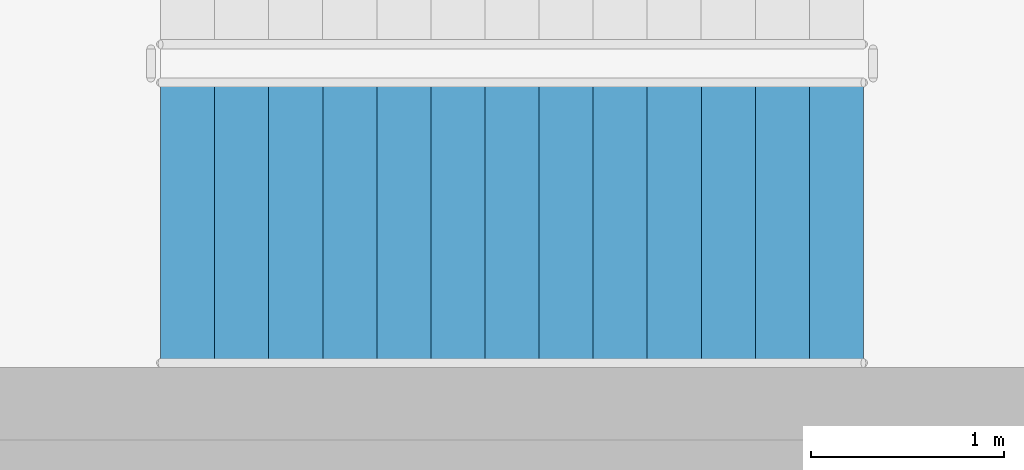
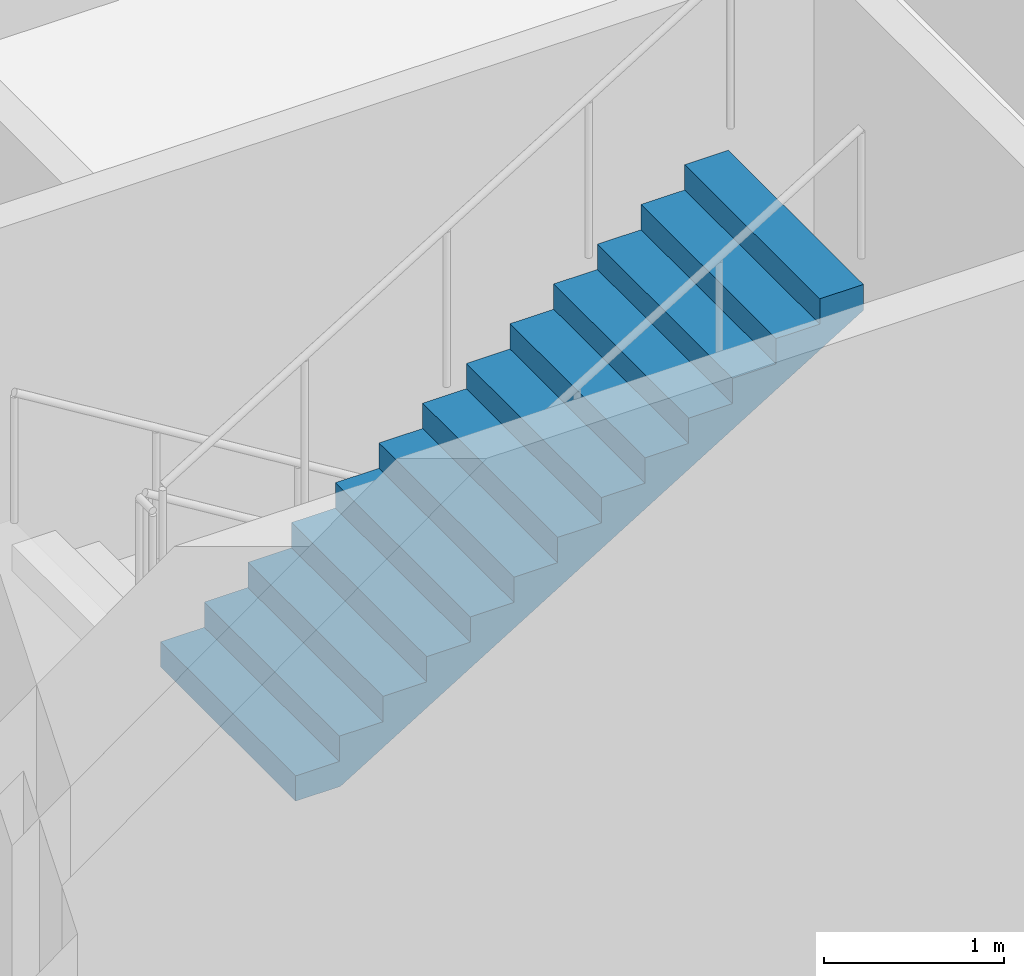
# One storey, part 63 of 91: 1 stair flight, 1 element without a shape of its own.
"""IFC4 building model written with IfcOpenShell, lengths in metres."""

from ifc_helpers import new_model, si_unit, direction, frame, origin, place, context, subcontext, project, spatial, triangles, material, type_object, element, aggregate, save


model = new_model("IFC4")

# Units and contexts
model_context = context("Model", 3, precision=1e-05, world=origin(), true_north=direction((0.0, 1.0)))
body_context = subcontext(model_context, "Body", "Model", "MODEL_VIEW")
ifc_project = project(units=[si_unit("LENGTHUNIT", "METRE"), si_unit("AREAUNIT", "SQUARE_METRE"), si_unit("VOLUMEUNIT", "CUBIC_METRE"), si_unit("PLANEANGLEUNIT", "RADIAN"), si_unit("MASSUNIT", "GRAM", prefix="KILO")], contexts=[model_context])

# Site, building, storey
site_placement = place(None, origin())
site = spatial("IfcSite", under=ifc_project, at=site_placement, CompositionType="ELEMENT")
building_placement = place(site_placement, origin())
building = spatial("IfcBuilding", under=site, at=building_placement, Name="Magnolia Steps Interchange", CompositionType="ELEMENT")
storey_placement = place(building_placement, origin())
storey = spatial("IfcBuildingStorey", under=building, at=storey_placement, Name="L00", CompositionType="ELEMENT", Elevation=0.0)

# Stair, stair flight
ifc_material_1 = material(Name="Concrete C40", Category="concrete")
stair_type = type_object("IfcStairType", Name="Exit stair 1500", PredefinedType="HALF_TURN_STAIR", material=ifc_material_1)
stair_placement = place(storey_placement, origin())
stair = element("IfcStair", 1, at=stair_placement, inside=storey, type_object=stair_type, Name="L00 Stair 26", PredefinedType="HALF_TURN_STAIR")
ifc_material_2 = material(Name="Concrete C40", Category="concrete")
stair_flight_type = type_object("IfcStairFlightType", Name="Exit stair flight", PredefinedType="STRAIGHT", material=ifc_material_2)
stair_flight_placement = place(storey_placement, frame((44.56005859375, 86.85009765625, 2.39990234375), z_axis=(0.0, 0.0, 1.0), x_axis=(1.0, 0.0, 0.0)))
stair_flight = element("IfcStairFlight", 2, at=stair_flight_placement, type_object=stair_flight_type, Name="Stair 26 flight 2", NumberOfRisers=14, NumberOfTreads=13, PredefinedType="STRAIGHT", RiserHeight=0.171428571, TreadLength=0.28, context=body_context, shape_type="Tessellation", body=[
    triangles([(0.0, -0.75, 0.0), (0.287109375, -0.75, 0.0), (3.639892578125, -0.75, 2.052734375), (3.639892578125, -0.75, 2.228515625), (3.360107421875, -0.75, 2.228515625), (3.360107421875, -0.75, 2.05712890625), (3.080078125, -0.75, 2.05712890625), (3.080078125, -0.75, 1.8857421875), (2.800048828125, -0.75, 1.8857421875), (2.800048828125, -0.75, 1.71435546875), (2.52001953125, -0.75, 1.71435546875), (2.52001953125, -0.75, 1.54296875), (2.239990234375, -0.75, 1.54296875), (2.239990234375, -0.75, 1.371337890625), (1.9599609375, -0.75, 1.371337890625), (1.9599609375, -0.75, 1.199951171875), (1.679931640625, -0.75, 1.199951171875), (1.679931640625, -0.75, 1.028564453125), (1.39990234375, -0.75, 1.028564453125), (1.39990234375, -0.75, 0.857177734375), (1.1201171875, -0.75, 0.857177734375), (1.1201171875, -0.75, 0.685791015625), (0.840087890625, -0.75, 0.685791015625), (0.840087890625, -0.75, 0.514404296875), (0.56005859375, -0.75, 0.514404296875), (0.56005859375, -0.75, 0.3427734375), (0.280029296875, -0.75, 0.3427734375), (0.280029296875, -0.75, 0.17138671875), (0.0, -0.75, 0.17138671875), (0.0, 0.75, 0.0), (0.287109375, 0.75, 0.0), (3.639892578125, 0.75, 2.052734375), (3.639892578125, 0.75, 2.228515625), (3.360107421875, 0.75, 2.228515625), (3.360107421875, 0.75, 2.05712890625), (3.080078125, 0.75, 2.05712890625), (3.080078125, 0.75, 1.8857421875), (2.800048828125, 0.75, 1.8857421875), (2.800048828125, 0.75, 1.71435546875), (2.52001953125, 0.75, 1.71435546875), (2.52001953125, 0.75, 1.54296875), (2.239990234375, 0.75, 1.54296875), (2.239990234375, 0.75, 1.371337890625), (1.9599609375, 0.75, 1.371337890625), (1.9599609375, 0.75, 1.199951171875), (1.679931640625, 0.75, 1.199951171875), (1.679931640625, 0.75, 1.028564453125), (1.39990234375, 0.75, 1.028564453125), (1.39990234375, 0.75, 0.857177734375), (1.1201171875, 0.75, 0.857177734375), (1.1201171875, 0.75, 0.685791015625), (0.840087890625, 0.75, 0.685791015625), (0.840087890625, 0.75, 0.514404296875), (0.56005859375, 0.75, 0.514404296875), (0.56005859375, 0.75, 0.3427734375), (0.280029296875, 0.75, 0.3427734375), (0.280029296875, 0.75, 0.17138671875), (0.0, 0.75, 0.17138671875), (0.0, 0.0, 0.0), (0.0, 0.0, 0.0428466796875), (0.0, 0.0, 0.085693359375), (0.0, 0.0, 0.1285400390625), (0.0, 0.0, 0.17138671875), (0.0, -0.05, 0.0), (0.0, -0.05, 0.17138671875), (0.0, 0.05, 0.0), (0.0, 0.05, 0.17138671875), (0.046671549479166664, 0.0, 0.17138671875), (0.09334309895833333, 0.0, 0.17138671875), (0.1400146484375, 0.0, 0.17138671875), (0.18668619791666666, 0.0, 0.17138671875), (0.23335774739583334, 0.0, 0.17138671875), (0.280029296875, 0.0, 0.17138671875), (0.280029296875, -0.05, 0.17138671875), (0.280029296875, 0.05, 0.17138671875), (0.280029296875, 0.0, 0.2142333984375), (0.280029296875, 0.0, 0.257080078125), (0.280029296875, 0.0, 0.2999267578125), (0.280029296875, 0.0, 0.3427734375), (0.280029296875, -0.05, 0.3427734375), (0.280029296875, 0.05, 0.3427734375), (0.3267008463541667, 0.0, 0.3427734375), (0.3733723958333333, 0.0, 0.3427734375), (0.4200439453125, 0.0, 0.3427734375), (0.46671549479166663, 0.0, 0.3427734375), (0.5133870442708334, 0.0, 0.3427734375), (0.56005859375, 0.0, 0.3427734375), (0.56005859375, -0.05, 0.3427734375), (0.56005859375, 0.05, 0.3427734375), (0.56005859375, 0.0, 0.38568115234375), (0.56005859375, 0.0, 0.4285888671875), (0.56005859375, 0.0, 0.47149658203125), (0.56005859375, 0.0, 0.514404296875), (0.56005859375, -0.05, 0.514404296875), (0.56005859375, 0.05, 0.514404296875), (0.6067301432291666, 0.0, 0.514404296875), (0.6534016927083334, 0.0, 0.514404296875), (0.7000732421875, 0.0, 0.514404296875), (0.7467447916666666, 0.0, 0.514404296875), (0.7934163411458334, 0.0, 0.514404296875), (0.840087890625, 0.0, 0.514404296875), (0.840087890625, -0.05, 0.514404296875), (0.840087890625, 0.05, 0.514404296875), (0.840087890625, 0.0, 0.5572509765625), (0.840087890625, 0.0, 0.60009765625), (0.840087890625, 0.0, 0.6429443359375), (0.840087890625, 0.0, 0.685791015625), (0.840087890625, -0.05, 0.685791015625), (0.840087890625, 0.05, 0.685791015625), (0.8867594401041666, 0.0, 0.685791015625), (0.9334309895833334, 0.0, 0.685791015625), (0.9801025390625, 0.0, 0.685791015625), (1.0267740885416667, 0.0, 0.685791015625), (1.0734456380208333, 0.0, 0.685791015625), (1.1201171875, 0.0, 0.685791015625), (1.1201171875, -0.05, 0.685791015625), (1.1201171875, 0.05, 0.685791015625), (1.1201171875, 0.0, 0.7286376953125), (1.1201171875, 0.0, 0.771484375), (1.1201171875, 0.0, 0.8143310546875), (1.1201171875, 0.0, 0.857177734375), (1.1201171875, -0.05, 0.857177734375), (1.1201171875, 0.05, 0.857177734375), (1.1900634765625, 0.0, 0.857177734375), (1.260009765625, 0.0, 0.857177734375), (1.3299560546875, 0.0, 0.857177734375), (1.39990234375, 0.0, 0.857177734375), (1.39990234375, -0.05, 0.857177734375), (1.39990234375, 0.05, 0.857177734375), (1.39990234375, 0.0, 0.9000244140625), (1.39990234375, 0.0, 0.94287109375), (1.39990234375, 0.0, 0.9857177734375), (1.39990234375, 0.0, 1.028564453125), (1.39990234375, -0.05, 1.028564453125), (1.39990234375, 0.05, 1.028564453125), (1.4465738932291667, 0.0, 1.028564453125), (1.4932454427083333, 0.0, 1.028564453125), (1.5399169921875, 0.0, 1.028564453125), (1.5865885416666667, 0.0, 1.028564453125), (1.6332600911458333, 0.0, 1.028564453125), (1.679931640625, 0.0, 1.028564453125), (1.679931640625, -0.05, 1.028564453125), (1.679931640625, 0.05, 1.028564453125), (1.679931640625, 0.0, 1.0714111328125), (1.679931640625, 0.0, 1.1142578125), (1.679931640625, 0.0, 1.1571044921875), (1.679931640625, 0.0, 1.199951171875), (1.679931640625, -0.05, 1.199951171875), (1.679931640625, 0.05, 1.199951171875), (1.7266031901041667, 0.0, 1.199951171875), (1.7732747395833333, 0.0, 1.199951171875), (1.8199462890625, 0.0, 1.199951171875), (1.8666178385416667, 0.0, 1.199951171875), (1.9132893880208333, 0.0, 1.199951171875), (1.9599609375, 0.0, 1.199951171875), (1.9599609375, -0.05, 1.199951171875), (1.9599609375, 0.05, 1.199951171875), (1.9599609375, 0.0, 1.2427978515625), (1.9599609375, 0.0, 1.28564453125), (1.9599609375, 0.0, 1.3284912109375), (1.9599609375, 0.0, 1.371337890625), (1.9599609375, -0.05, 1.371337890625), (1.9599609375, 0.05, 1.371337890625), (2.0066324869791665, 0.0, 1.371337890625), (2.0533040364583335, 0.0, 1.371337890625), (2.0999755859375, 0.0, 1.371337890625), (2.1466471354166665, 0.0, 1.371337890625), (2.1933186848958335, 0.0, 1.371337890625), (2.239990234375, 0.0, 1.371337890625), (2.239990234375, -0.05, 1.371337890625), (2.239990234375, 0.05, 1.371337890625), (2.239990234375, 0.0, 1.41424560546875), (2.239990234375, 0.0, 1.4571533203125), (2.239990234375, 0.0, 1.50006103515625), (2.239990234375, 0.0, 1.54296875), (2.239990234375, -0.05, 1.54296875), (2.239990234375, 0.05, 1.54296875), (2.2866617838541665, 0.0, 1.54296875), (2.3333333333333335, 0.0, 1.54296875), (2.3800048828125, 0.0, 1.54296875), (2.4266764322916665, 0.0, 1.54296875), (2.4733479817708335, 0.0, 1.54296875), (2.52001953125, 0.0, 1.54296875), (2.52001953125, -0.05, 1.54296875), (2.52001953125, 0.05, 1.54296875), (2.52001953125, 0.0, 1.5858154296875), (2.52001953125, 0.0, 1.628662109375), (2.52001953125, 0.0, 1.6715087890625), (2.52001953125, 0.0, 1.71435546875), (2.52001953125, -0.05, 1.71435546875), (2.52001953125, 0.05, 1.71435546875), (2.5666910807291665, 0.0, 1.71435546875), (2.6133626302083335, 0.0, 1.71435546875), (2.6600341796875, 0.0, 1.71435546875), (2.7067057291666665, 0.0, 1.71435546875), (2.7533772786458335, 0.0, 1.71435546875), (2.800048828125, 0.0, 1.71435546875), (2.800048828125, -0.05, 1.71435546875), (2.800048828125, 0.05, 1.71435546875), (2.800048828125, 0.0, 1.7572021484375), (2.800048828125, 0.0, 1.800048828125), (2.800048828125, 0.0, 1.8428955078125), (2.800048828125, 0.0, 1.8857421875), (2.800048828125, -0.05, 1.8857421875), (2.800048828125, 0.05, 1.8857421875), (2.8467203776041665, 0.0, 1.8857421875), (2.8933919270833335, 0.0, 1.8857421875), (2.9400634765625, 0.0, 1.8857421875), (2.9867350260416665, 0.0, 1.8857421875), (3.0334065755208335, 0.0, 1.8857421875), (3.080078125, 0.0, 1.8857421875), (3.080078125, -0.05, 1.8857421875), (3.080078125, 0.05, 1.8857421875), (3.080078125, 0.0, 1.9285888671875), (3.080078125, 0.0, 1.971435546875), (3.080078125, 0.0, 2.0142822265625), (3.080078125, 0.0, 2.05712890625), (3.080078125, -0.05, 2.05712890625), (3.080078125, 0.05, 2.05712890625), (3.1267496744791665, 0.0, 2.05712890625), (3.1734212239583335, 0.0, 2.05712890625), (3.2200927734375, 0.0, 2.05712890625), (3.2667643229166665, 0.0, 2.05712890625), (3.3134358723958335, 0.0, 2.05712890625), (3.360107421875, 0.0, 2.05712890625), (3.360107421875, -0.05, 2.05712890625), (3.360107421875, 0.05, 2.05712890625), (3.360107421875, 0.0, 2.0999755859375), (3.360107421875, 0.0, 2.142822265625), (3.360107421875, 0.0, 2.1856689453125), (3.360107421875, 0.0, 2.228515625), (3.360107421875, -0.05, 2.228515625), (3.360107421875, 0.05, 2.228515625), (3.4300537109375, 0.0, 2.228515625), (3.5, 0.0, 2.228515625), (3.5699462890625, 0.0, 2.228515625), (3.639892578125, 0.0, 2.228515625), (3.639892578125, -0.05, 2.228515625), (3.639892578125, 0.05, 2.228515625), (3.639892578125, 0.0, 2.1845703125), (3.639892578125, 0.0, 2.140625), (3.639892578125, 0.0, 2.0966796875), (3.639892578125, 0.0, 2.052734375), (3.639892578125, -0.05, 2.052734375), (3.639892578125, 0.05, 2.052734375), (3.582085971174569, 0.0, 2.0173424030172415), (3.524279364224138, 0.0, 1.9819504310344827), (3.466472757273707, 0.0, 1.9465584590517242), (3.408666150323276, 0.0, 1.9111664870689655), (3.3508595433728448, 0.0, 1.8757745150862069), (3.2930529364224137, 0.0, 1.8403825431034484), (3.2352463294719827, 0.0, 1.8049905711206897), (3.1774397225215516, 0.0, 1.769598599137931), (3.1196331155711206, 0.0, 1.7342066271551724), (3.0618265086206895, 0.0, 1.6988146551724137), (3.004019901670259, 0.0, 1.6634226831896552), (2.9462132947198274, 0.0, 1.6280307112068966), (2.888406687769397, 0.0, 1.592638739224138), (2.8306000808189653, 0.0, 1.5572467672413794), (2.7727934738685347, 0.0, 1.5218547952586206), (2.714986866918103, 0.0, 1.486462823275862), (2.6571802599676726, 0.0, 1.4510708512931034), (2.599373653017241, 0.0, 1.4156788793103448), (2.5415670460668105, 0.0, 1.3802869073275863), (2.483760439116379, 0.0, 1.3448949353448276), (2.4259538321659484, 0.0, 1.309502963362069), (2.3681472252155173, 0.0, 1.2741109913793105), (2.3103406182650863, 0.0, 1.2387190193965516), (2.2525340113146552, 0.0, 1.2033270474137931), (2.194727404364224, 0.0, 1.1679350754310345), (2.136920797413793, 0.0, 1.1325431034482758), (2.079114190463362, 0.0, 1.0971511314655173), (2.021307583512931, 0.0, 1.0617591594827587), (1.9635009765625, 0.0, 1.0263671875), (1.905694369612069, 0.0, 0.9909752155172413), (1.847887762661638, 0.0, 0.9555832435344827), (1.7900811557112069, 0.0, 0.9201912715517242), (1.7322745487607758, 0.0, 0.8847992995689655), (1.6744679418103448, 0.0, 0.8494073275862069), (1.6166613348599137, 0.0, 0.8140153556034482), (1.5588547279094827, 0.0, 0.7786233836206897), (1.5010481209590516, 0.0, 0.743231411637931), (1.4432415140086206, 0.0, 0.7078394396551724), (1.3854349070581895, 0.0, 0.6724474676724137), (1.3276283001077585, 0.0, 0.6370554956896552), (1.2698216931573274, 0.0, 0.6016635237068966), (1.2120150862068964, 0.0, 0.5662715517241379), (1.1542084792564653, 0.0, 0.5308795797413792), (1.0964018723060347, 0.0, 0.4954876077586208), (1.0385952653556036, 0.0, 0.4600956357758621), (0.9807886584051726, 0.0, 0.4247036637931034), (0.9229820514547415, 0.0, 0.38931169181034475), (0.8651754445043105, 0.0, 0.3539197198275863), (0.8073688375538794, 0.0, 0.3185277478448276), (0.7495622306034484, 0.0, 0.28313577586206895), (0.6917556236530173, 0.0, 0.24774380387931028), (0.6339490167025863, 0.0, 0.21235183189655182), (0.5761424097521552, 0.0, 0.17695985991379315), (0.5183358028017242, 0.0, 0.14156788793103448), (0.46052919585129315, 0.0, 0.1061759159482758), (0.4027225889008621, 0.0, 0.07078394396551735), (0.34491598195043105, 0.0, 0.03539197198275845), (0.287109375, 0.0, 0.0), (0.287109375, -0.05, 0.0), (0.287109375, 0.05, 0.0), (0.2392578125, 0.0, 0.0), (0.19140625, 0.0, 0.0), (0.1435546875, 0.0, 0.0), (0.095703125, 0.0, 0.0), (0.0478515625, 0.0, 0.0)], [[1, 2, 3], [3, 4, 5], [3, 5, 6], [3, 6, 7], [3, 7, 8], [8, 9, 10], [3, 8, 10], [10, 11, 12], [3, 10, 12], [12, 13, 14], [3, 12, 14], [14, 15, 16], [3, 14, 16], [16, 17, 18], [3, 16, 18], [18, 19, 20], [3, 18, 20], [20, 21, 22], [3, 20, 22], [22, 23, 24], [3, 22, 24], [24, 25, 26], [3, 24, 26], [26, 27, 28], [3, 26, 28], [1, 3, 28], [28, 29, 1], [30, 32, 31], [32, 34, 33], [32, 35, 34], [32, 36, 35], [32, 37, 36], [37, 39, 38], [32, 39, 37], [39, 41, 40], [32, 41, 39], [41, 43, 42], [32, 43, 41], [43, 45, 44], [32, 45, 43], [45, 47, 46], [32, 47, 45], [47, 49, 48], [32, 49, 47], [49, 51, 50], [32, 51, 49], [51, 53, 52], [32, 53, 51], [53, 55, 54], [32, 55, 53], [55, 57, 56], [32, 57, 55], [30, 57, 32], [57, 30, 58], [1, 29, 65], [1, 65, 64], [64, 60, 59], [64, 61, 60], [64, 65, 61], [65, 62, 61], [65, 63, 62], [30, 67, 58], [30, 66, 67], [66, 59, 60], [66, 60, 61], [66, 61, 67], [67, 61, 62], [67, 62, 63], [29, 28, 74], [29, 74, 65], [65, 68, 63], [65, 69, 68], [65, 70, 69], [65, 74, 70], [74, 71, 70], [74, 72, 71], [74, 73, 72], [58, 75, 57], [58, 67, 75], [67, 63, 68], [67, 68, 69], [67, 69, 70], [67, 70, 75], [75, 70, 71], [75, 71, 72], [75, 72, 73], [28, 27, 80], [28, 80, 74], [74, 76, 73], [74, 77, 76], [74, 80, 77], [80, 78, 77], [80, 79, 78], [57, 81, 56], [57, 75, 81], [75, 73, 76], [75, 76, 77], [75, 77, 81], [81, 77, 78], [81, 78, 79], [27, 26, 88], [27, 88, 80], [80, 82, 79], [80, 83, 82], [80, 84, 83], [80, 88, 84], [88, 85, 84], [88, 86, 85], [88, 87, 86], [56, 89, 55], [56, 81, 89], [81, 79, 82], [81, 82, 83], [81, 83, 84], [81, 84, 89], [89, 84, 85], [89, 85, 86], [89, 86, 87], [26, 25, 94], [26, 94, 88], [88, 90, 87], [88, 91, 90], [88, 94, 91], [94, 92, 91], [94, 93, 92], [55, 95, 54], [55, 89, 95], [89, 87, 90], [89, 90, 91], [89, 91, 95], [95, 91, 92], [95, 92, 93], [25, 24, 102], [25, 102, 94], [94, 96, 93], [94, 97, 96], [94, 98, 97], [94, 102, 98], [102, 99, 98], [102, 100, 99], [102, 101, 100], [54, 103, 53], [54, 95, 103], [95, 93, 96], [95, 96, 97], [95, 97, 98], [95, 98, 103], [103, 98, 99], [103, 99, 100], [103, 100, 101], [24, 23, 108], [24, 108, 102], [102, 104, 101], [102, 105, 104], [102, 108, 105], [108, 106, 105], [108, 107, 106], [53, 109, 52], [53, 103, 109], [103, 101, 104], [103, 104, 105], [103, 105, 109], [109, 105, 106], [109, 106, 107], [23, 22, 116], [23, 116, 108], [108, 110, 107], [108, 111, 110], [108, 112, 111], [108, 116, 112], [116, 113, 112], [116, 114, 113], [116, 115, 114], [52, 117, 51], [52, 109, 117], [109, 107, 110], [109, 110, 111], [109, 111, 112], [109, 112, 117], [117, 112, 113], [117, 113, 114], [117, 114, 115], [22, 21, 122], [22, 122, 116], [116, 118, 115], [116, 119, 118], [116, 122, 119], [122, 120, 119], [122, 121, 120], [51, 123, 50], [51, 117, 123], [117, 115, 118], [117, 118, 119], [117, 119, 123], [123, 119, 120], [123, 120, 121], [21, 20, 128], [21, 128, 122], [122, 124, 121], [122, 125, 124], [122, 128, 125], [128, 126, 125], [128, 127, 126], [50, 129, 49], [50, 123, 129], [123, 121, 124], [123, 124, 125], [123, 125, 129], [129, 125, 126], [129, 126, 127], [20, 19, 134], [20, 134, 128], [128, 130, 127], [128, 131, 130], [128, 134, 131], [134, 132, 131], [134, 133, 132], [49, 135, 48], [49, 129, 135], [129, 127, 130], [129, 130, 131], [129, 131, 135], [135, 131, 132], [135, 132, 133], [19, 18, 142], [19, 142, 134], [134, 136, 133], [134, 137, 136], [134, 138, 137], [134, 142, 138], [142, 139, 138], [142, 140, 139], [142, 141, 140], [48, 143, 47], [48, 135, 143], [135, 133, 136], [135, 136, 137], [135, 137, 138], [135, 138, 143], [143, 138, 139], [143, 139, 140], [143, 140, 141], [18, 17, 148], [18, 148, 142], [142, 144, 141], [142, 145, 144], [142, 148, 145], [148, 146, 145], [148, 147, 146], [47, 149, 46], [47, 143, 149], [143, 141, 144], [143, 144, 145], [143, 145, 149], [149, 145, 146], [149, 146, 147], [17, 16, 156], [17, 156, 148], [148, 150, 147], [148, 151, 150], [148, 152, 151], [148, 156, 152], [156, 153, 152], [156, 154, 153], [156, 155, 154], [46, 157, 45], [46, 149, 157], [149, 147, 150], [149, 150, 151], [149, 151, 152], [149, 152, 157], [157, 152, 153], [157, 153, 154], [157, 154, 155], [16, 15, 162], [16, 162, 156], [156, 158, 155], [156, 159, 158], [156, 162, 159], [162, 160, 159], [162, 161, 160], [45, 163, 44], [45, 157, 163], [157, 155, 158], [157, 158, 159], [157, 159, 163], [163, 159, 160], [163, 160, 161], [15, 14, 170], [15, 170, 162], [162, 164, 161], [162, 165, 164], [162, 166, 165], [162, 170, 166], [170, 167, 166], [170, 168, 167], [170, 169, 168], [44, 171, 43], [44, 163, 171], [163, 161, 164], [163, 164, 165], [163, 165, 166], [163, 166, 171], [171, 166, 167], [171, 167, 168], [171, 168, 169], [14, 13, 176], [14, 176, 170], [170, 172, 169], [170, 173, 172], [170, 176, 173], [176, 174, 173], [176, 175, 174], [43, 177, 42], [43, 171, 177], [171, 169, 172], [171, 172, 173], [171, 173, 177], [177, 173, 174], [177, 174, 175], [13, 12, 184], [13, 184, 176], [176, 178, 175], [176, 179, 178], [176, 180, 179], [176, 184, 180], [184, 181, 180], [184, 182, 181], [184, 183, 182], [42, 185, 41], [42, 177, 185], [177, 175, 178], [177, 178, 179], [177, 179, 180], [177, 180, 185], [185, 180, 181], [185, 181, 182], [185, 182, 183], [12, 11, 190], [12, 190, 184], [184, 186, 183], [184, 187, 186], [184, 190, 187], [190, 188, 187], [190, 189, 188], [41, 191, 40], [41, 185, 191], [185, 183, 186], [185, 186, 187], [185, 187, 191], [191, 187, 188], [191, 188, 189], [11, 10, 198], [11, 198, 190], [190, 192, 189], [190, 193, 192], [190, 194, 193], [190, 198, 194], [198, 195, 194], [198, 196, 195], [198, 197, 196], [40, 199, 39], [40, 191, 199], [191, 189, 192], [191, 192, 193], [191, 193, 194], [191, 194, 199], [199, 194, 195], [199, 195, 196], [199, 196, 197], [10, 9, 204], [10, 204, 198], [198, 200, 197], [198, 201, 200], [198, 204, 201], [204, 202, 201], [204, 203, 202], [39, 205, 38], [39, 199, 205], [199, 197, 200], [199, 200, 201], [199, 201, 205], [205, 201, 202], [205, 202, 203], [9, 8, 212], [9, 212, 204], [204, 206, 203], [204, 207, 206], [204, 208, 207], [204, 212, 208], [212, 209, 208], [212, 210, 209], [212, 211, 210], [38, 213, 37], [38, 205, 213], [205, 203, 206], [205, 206, 207], [205, 207, 208], [205, 208, 213], [213, 208, 209], [213, 209, 210], [213, 210, 211], [8, 7, 218], [8, 218, 212], [212, 214, 211], [212, 215, 214], [212, 218, 215], [218, 216, 215], [218, 217, 216], [37, 219, 36], [37, 213, 219], [213, 211, 214], [213, 214, 215], [213, 215, 219], [219, 215, 216], [219, 216, 217], [7, 6, 226], [7, 226, 218], [218, 220, 217], [218, 221, 220], [218, 222, 221], [218, 226, 222], [226, 223, 222], [226, 224, 223], [226, 225, 224], [36, 227, 35], [36, 219, 227], [219, 217, 220], [219, 220, 221], [219, 221, 222], [219, 222, 227], [227, 222, 223], [227, 223, 224], [227, 224, 225], [6, 5, 232], [6, 232, 226], [226, 228, 225], [226, 229, 228], [226, 232, 229], [232, 230, 229], [232, 231, 230], [35, 233, 34], [35, 227, 233], [227, 225, 228], [227, 228, 229], [227, 229, 233], [233, 229, 230], [233, 230, 231], [5, 4, 238], [5, 238, 232], [232, 234, 231], [232, 235, 234], [232, 238, 235], [238, 236, 235], [238, 237, 236], [34, 239, 33], [34, 233, 239], [233, 231, 234], [233, 234, 235], [233, 235, 239], [239, 235, 236], [239, 236, 237], [4, 3, 244], [4, 244, 238], [238, 240, 237], [238, 241, 240], [238, 244, 241], [244, 242, 241], [244, 243, 242], [33, 245, 32], [33, 239, 245], [239, 237, 240], [239, 240, 241], [239, 241, 245], [245, 241, 242], [245, 242, 243], [3, 2, 304], [3, 304, 244], [244, 246, 243], [244, 247, 246], [244, 248, 247], [244, 249, 248], [244, 250, 249], [244, 251, 250], [244, 252, 251], [244, 253, 252], [244, 254, 253], [244, 255, 254], [244, 256, 255], [244, 257, 256], [244, 258, 257], [244, 259, 258], [244, 260, 259], [244, 261, 260], [244, 262, 261], [244, 263, 262], [244, 264, 263], [244, 265, 264], [244, 266, 265], [244, 267, 266], [244, 268, 267], [244, 269, 268], [244, 270, 269], [244, 271, 270], [244, 272, 271], [244, 273, 272], [244, 274, 273], [244, 304, 274], [304, 275, 274], [304, 276, 275], [304, 277, 276], [304, 278, 277], [304, 279, 278], [304, 280, 279], [304, 281, 280], [304, 282, 281], [304, 283, 282], [304, 284, 283], [304, 285, 284], [304, 286, 285], [304, 287, 286], [304, 288, 287], [304, 289, 288], [304, 290, 289], [304, 291, 290], [304, 292, 291], [304, 293, 292], [304, 294, 293], [304, 295, 294], [304, 296, 295], [304, 297, 296], [304, 298, 297], [304, 299, 298], [304, 300, 299], [304, 301, 300], [304, 302, 301], [304, 303, 302], [32, 305, 31], [32, 245, 305], [245, 243, 246], [245, 246, 247], [245, 247, 248], [245, 248, 249], [245, 249, 250], [245, 250, 251], [245, 251, 252], [245, 252, 253], [245, 253, 254], [245, 254, 255], [245, 255, 256], [245, 256, 257], [245, 257, 258], [245, 258, 259], [245, 259, 260], [245, 260, 261], [245, 261, 262], [245, 262, 263], [245, 263, 264], [245, 264, 265], [245, 265, 266], [245, 266, 267], [245, 267, 268], [245, 268, 269], [245, 269, 270], [245, 270, 271], [245, 271, 272], [245, 272, 273], [245, 273, 274], [245, 274, 305], [305, 274, 275], [305, 275, 276], [305, 276, 277], [305, 277, 278], [305, 278, 279], [305, 279, 280], [305, 280, 281], [305, 281, 282], [305, 282, 283], [305, 283, 284], [305, 284, 285], [305, 285, 286], [305, 286, 287], [305, 287, 288], [305, 288, 289], [305, 289, 290], [305, 290, 291], [305, 291, 292], [305, 292, 293], [305, 293, 294], [305, 294, 295], [305, 295, 296], [305, 296, 297], [305, 297, 298], [305, 298, 299], [305, 299, 300], [305, 300, 301], [305, 301, 302], [305, 302, 303], [2, 1, 64], [2, 64, 304], [304, 306, 303], [304, 307, 306], [304, 308, 307], [304, 64, 308], [64, 309, 308], [64, 310, 309], [64, 59, 310], [31, 66, 30], [31, 305, 66], [305, 303, 306], [305, 306, 307], [305, 307, 308], [305, 308, 66], [66, 308, 309], [66, 309, 310], [66, 310, 59]], closed=True),
])
aggregate(stair, [stair_flight])

save(model, "model.ifc")
